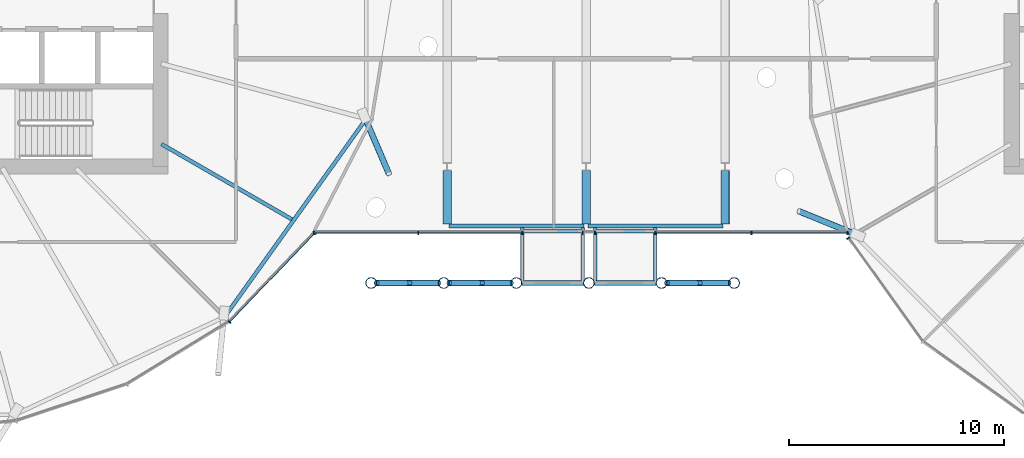
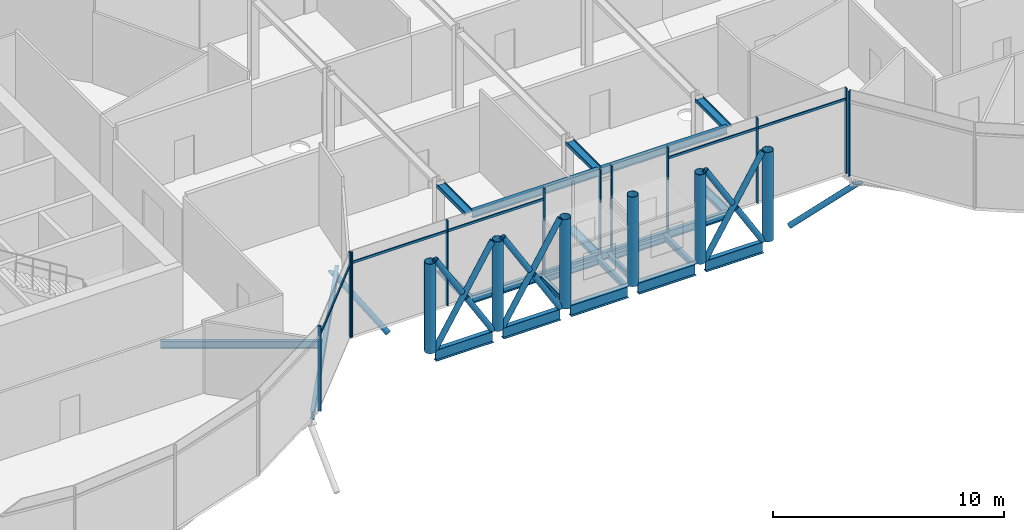
# One storey, part 6 of 36: 33 members, 23 beams, 3 elements without a shape of their own.
"""IFC4 building model written with IfcOpenShell, lengths in metres."""

from ifc_helpers import new_model, si_unit, direction, frame, origin, origin_2d, place, context, subcontext, project, spatial, rectangle, hollow_circle, i_section, extrude, clip, halfspace, material, material_profile, profile_set, type_object, element, aggregate, save


model = new_model("IFC4")

# Units and contexts
model_context = context("Model", 3, precision=1e-05, world=origin(), true_north=direction((0.0, 1.0)))
body_context = subcontext(model_context, "Body", "Model", "MODEL_VIEW")
ifc_project = project(units=[si_unit("LENGTHUNIT", "METRE"), si_unit("AREAUNIT", "SQUARE_METRE"), si_unit("VOLUMEUNIT", "CUBIC_METRE"), si_unit("PLANEANGLEUNIT", "RADIAN"), si_unit("MASSUNIT", "GRAM", prefix="KILO")], contexts=[model_context])

# Site, building, storey
site_placement = place(None, origin())
site = spatial("IfcSite", under=ifc_project, at=site_placement, CompositionType="ELEMENT")
building_placement = place(site_placement, origin())
building = spatial("IfcBuilding", under=site, at=building_placement, Name="Rimbun Link Towers", CompositionType="ELEMENT")
storey_placement = place(building_placement, frame((0.0, 0.0, 154.39990234375)))
storey = spatial("IfcBuildingStorey", under=building, at=storey_placement, Name="L37", CompositionType="ELEMENT", Elevation=154.39990234375)

# Curtain wall, members
ifc_material_1 = material(Name="Aluminium 6063-T6 and low-iron glass", Category="aluminium")
curtain_wall_type = type_object("IfcCurtainWallType", Name="CW5 full height lobby wall", PredefinedType="NOTDEFINED", material=ifc_material_1)
curtain_wall_1_placement = place(storey_placement, origin())
curtain_wall_1 = element("IfcCurtainWall", 1, at=curtain_wall_1_placement, inside=storey, type_object=curtain_wall_type, Name="CW5 L37 T1", PredefinedType="NOTDEFINED")
ifc_material_2 = material(Name="Aluminium 6063-T6", Category="aluminium")
ifc_material_profile_1 = material_profile(ifc_material_2, rectangle(XDim=0.14990234375, YDim=0.06005859375, at=origin_2d()), Name="MULLION 60X150")
ifc_profile_set_1 = profile_set([ifc_material_profile_1], Name="Aluminium 6063-T6")
member_type_1 = type_object("IfcMemberType", Name="CW5 mullion 60X150", PredefinedType="MULLION", material=ifc_profile_set_1)
member_1_placement = place(storey_placement, frame((-16.548828125, -15.212646484375, 0.0), z_axis=(0.0, 0.0, 1.0), x_axis=(0.627670674715, -0.778478981157, 0.0)))
member_1 = element("IfcMember", 2, at=member_1_placement, type_object=member_type_1, Name="CW5 mullion", PredefinedType="MULLION", context=body_context, shape_type="SweptSolid", body=[
    extrude(rectangle(XDim=0.14990234375, YDim=0.06005859375, at=origin_2d()), origin(), (0.0, 0.0, 1.0), 4.5),
])
member_2_placement = place(storey_placement, frame((-12.589111328125, -11.083251953125, 0.0), z_axis=(0.0, 0.0, 1.0), x_axis=(0.721858090698, -0.692041109252, 0.0)))
member_2 = element("IfcMember", 3, at=member_2_placement, type_object=member_type_1, Name="CW5 mullion", PredefinedType="MULLION", context=body_context, shape_type="SweptSolid", body=[
    extrude(rectangle(XDim=0.14990234375, YDim=0.06005859375, at=origin_2d()), origin(), (0.0, 0.0, 1.0), 4.5),
])

# Curtain wall, member
curtain_wall_2_placement = place(storey_placement, origin())
curtain_wall_2 = element("IfcCurtainWall", 4, at=curtain_wall_2_placement, inside=storey, type_object=curtain_wall_type, Name="CW5 L37 T2", PredefinedType="NOTDEFINED")
member_3_placement = place(storey_placement, frame((12.149658203125, -11.32470703125, 0.0), z_axis=(0.0, 0.0, 1.0), x_axis=(-0.81246534364, -0.58300948996, 0.0)))
member_3 = element("IfcMember", 5, at=member_3_placement, type_object=member_type_1, Name="CW5 mullion", PredefinedType="MULLION", context=body_context, shape_type="SweptSolid", body=[
    extrude(rectangle(XDim=0.14990234375, YDim=0.06005859375, at=origin_2d()), origin(), (0.0, 0.0, 1.0), 4.5),
])
aggregate(curtain_wall_2, [member_3])

# Curtain wall, members
curtain_wall_3_placement = place(storey_placement, origin())
curtain_wall_3 = element("IfcCurtainWall", 6, at=curtain_wall_3_placement, inside=storey, type_object=curtain_wall_type, Name="CW5 L37 LB", PredefinedType="NOTDEFINED")
member_4_placement = place(storey_placement, frame((12.121337890625, -11.074951171875, 0.0), z_axis=(0.0, 0.0, 1.0), x_axis=(0.0, -1.0, 0.0)))
member_4 = element("IfcMember", 7, at=member_4_placement, type_object=member_type_1, Name="CW5 mullion", PredefinedType="MULLION", context=body_context, shape_type="SweptSolid", body=[
    extrude(rectangle(XDim=0.14990234375, YDim=0.06005859375, at=origin_2d()), origin(), (0.0, 0.0, 1.0), 4.5),
])
member_5_placement = place(storey_placement, frame((7.667236328125, -11.074951171875, 0.0), z_axis=(0.0, 0.0, 1.0), x_axis=(0.0, -1.0, 0.0)))
member_5 = element("IfcMember", 8, at=member_5_placement, type_object=member_type_1, Name="CW5 mullion", PredefinedType="MULLION", context=body_context, shape_type="SweptSolid", body=[
    extrude(rectangle(XDim=0.14990234375, YDim=0.06005859375, at=origin_2d()), origin(), (0.0, 0.0, 1.0), 4.5),
])
member_6_placement = place(storey_placement, frame((3.21337890625, -11.074951171875, 0.0), z_axis=(0.0, 0.0, 1.0), x_axis=(0.0, -1.0, 0.0)))
member_6 = element("IfcMember", 9, at=member_6_placement, type_object=member_type_1, Name="CW5 mullion", PredefinedType="MULLION", context=body_context, shape_type="SweptSolid", body=[
    extrude(rectangle(XDim=0.14990234375, YDim=0.06005859375, at=origin_2d()), origin(), (0.0, 0.0, 1.0), 4.5),
])
member_7_placement = place(storey_placement, frame((0.413330078125, -11.074951171875, 0.0), z_axis=(0.0, 0.0, 1.0), x_axis=(0.0, -1.0, 0.0)))
member_7 = element("IfcMember", 10, at=member_7_placement, type_object=member_type_1, Name="CW5 mullion", PredefinedType="MULLION", context=body_context, shape_type="SweptSolid", body=[
    extrude(rectangle(XDim=0.14990234375, YDim=0.06005859375, at=origin_2d()), origin(), (0.0, 0.0, 1.0), 4.5),
])
member_8_placement = place(storey_placement, frame((-0.15576171875, -11.074951171875, 0.0), z_axis=(0.0, 0.0, 1.0), x_axis=(0.0, -1.0, 0.0)))
member_8 = element("IfcMember", 11, at=member_8_placement, type_object=member_type_1, Name="CW5 mullion", PredefinedType="MULLION", context=body_context, shape_type="SweptSolid", body=[
    extrude(rectangle(XDim=0.14990234375, YDim=0.06005859375, at=origin_2d()), origin(), (0.0, 0.0, 1.0), 4.5),
])
member_9_placement = place(storey_placement, frame((-2.95556640625, -11.074951171875, 0.0), z_axis=(0.0, 0.0, 1.0), x_axis=(0.0, -1.0, 0.0)))
member_9 = element("IfcMember", 12, at=member_9_placement, type_object=member_type_1, Name="CW5 mullion", PredefinedType="MULLION", context=body_context, shape_type="SweptSolid", body=[
    extrude(rectangle(XDim=0.14990234375, YDim=0.06005859375, at=origin_2d()), origin(), (0.0, 0.0, 1.0), 4.5),
])
member_10_placement = place(storey_placement, frame((-7.791259765625, -11.074951171875, 0.0), z_axis=(0.0, 0.0, 1.0), x_axis=(0.0, -1.0, 0.0)))
member_10 = element("IfcMember", 13, at=member_10_placement, type_object=member_type_1, Name="CW5 mullion", PredefinedType="MULLION", context=body_context, shape_type="SweptSolid", body=[
    extrude(rectangle(XDim=0.14990234375, YDim=0.06005859375, at=origin_2d()), origin(), (0.0, 0.0, 1.0), 4.5),
])
member_11_placement = place(storey_placement, frame((-12.626953125, -11.074951171875, 0.0), z_axis=(0.0, 0.0, 1.0), x_axis=(0.0, -1.0, 0.0)))
member_11 = element("IfcMember", 14, at=member_11_placement, type_object=member_type_1, Name="CW5 mullion", PredefinedType="MULLION", context=body_context, shape_type="SweptSolid", body=[
    extrude(rectangle(XDim=0.14990234375, YDim=0.06005859375, at=origin_2d()), origin(), (0.0, 0.0, 1.0), 4.5),
])

# Member
ifc_material_3 = material(Name="Aluminium 6063-T6", Category="aluminium")
ifc_material_profile_2 = material_profile(ifc_material_3, rectangle(XDim=0.06005859375, YDim=0.1201171875, at=origin_2d()), Name="TRANSOM 60X120")
ifc_profile_set_2 = profile_set([ifc_material_profile_2], Name="Aluminium 6063-T6")
member_type_2 = type_object("IfcMemberType", Name="CW5 transom 60X120", PredefinedType="USERDEFINED", material=ifc_profile_set_2)
member_12_placement = place(storey_placement, frame((-12.619140625, -11.095947265625, 3.900146484375), z_axis=(-0.692046088529, -0.721853317061, 0.0), x_axis=(0.721853317061, -0.692046088529, 0.0)))
member_12 = element("IfcMember", 15, at=member_12_placement, type_object=member_type_2, Name="CW5 transom", ObjectType="TRANSOM", PredefinedType="USERDEFINED", context=body_context, shape_type="SweptSolid", body=[
    extrude(rectangle(XDim=0.06005859375, YDim=0.1201171875, at=origin_2d()), origin(), (0.0, 0.0, 1.0), 5.651611328125),
])

aggregate(curtain_wall_1, [member_1, member_2, member_12])

member_13_placement = place(storey_placement, frame((12.09130859375, -11.06201171875, 3.900146484375), z_axis=(-1.0, 0.0, 0.0), x_axis=(0.0, -1.0, 0.0)))
member_13 = element("IfcMember", 16, at=member_13_placement, type_object=member_type_2, Name="CW5 transom", ObjectType="TRANSOM", PredefinedType="USERDEFINED", context=body_context, shape_type="SweptSolid", body=[
    extrude(rectangle(XDim=0.06005859375, YDim=0.1201171875, at=origin_2d()), origin(), (0.0, 0.0, 1.0), 4.39404296875),
])

member_14_placement = place(storey_placement, frame((7.63720703125, -11.06201171875, 3.900146484375), z_axis=(-1.0, 0.0, 0.0), x_axis=(0.0, -1.0, 0.0)))
member_14 = element("IfcMember", 17, at=member_14_placement, type_object=member_type_2, Name="CW5 transom", ObjectType="TRANSOM", PredefinedType="USERDEFINED", context=body_context, shape_type="SweptSolid", body=[
    extrude(rectangle(XDim=0.06005859375, YDim=0.1201171875, at=origin_2d()), origin(), (0.0, 0.0, 1.0), 4.393798828125),
])

member_15_placement = place(storey_placement, frame((-2.985595703125, -11.06201171875, 3.900146484375), z_axis=(-1.0, 0.0, 0.0), x_axis=(0.0, -1.0, 0.0)))
member_15 = element("IfcMember", 18, at=member_15_placement, type_object=member_type_2, Name="CW5 transom", ObjectType="TRANSOM", PredefinedType="USERDEFINED", context=body_context, shape_type="SweptSolid", body=[
    extrude(rectangle(XDim=0.06005859375, YDim=0.1201171875, at=origin_2d()), origin(), (0.0, 0.0, 1.0), 4.775634765625),
])

member_16_placement = place(storey_placement, frame((-7.8212890625, -11.06201171875, 3.900146484375), z_axis=(-1.0, 0.0, 0.0), x_axis=(0.0, -1.0, 0.0)))
member_16 = element("IfcMember", 19, at=member_16_placement, type_object=member_type_2, Name="CW5 transom", ObjectType="TRANSOM", PredefinedType="USERDEFINED", context=body_context, shape_type="SweptSolid", body=[
    extrude(rectangle(XDim=0.06005859375, YDim=0.1201171875, at=origin_2d()), origin(), (0.0, 0.0, 1.0), 4.775634765625),
])

aggregate(curtain_wall_3, [member_4, member_5, member_6, member_7, member_8, member_9, member_10, member_11, member_13, member_14, member_15, member_16])

# Beams
ifc_material_4 = material(Name="Steel S355J2", Category="steel")
ifc_material_profile_3 = material_profile(ifc_material_4, i_section(OverallWidth=0.1650390625, OverallDepth=0.303466796875, WebThickness=0.006103515625, FlangeThickness=0.01025390625, at=origin_2d()), Name="UB 305x165x40")
ifc_profile_set_3 = profile_set([ifc_material_profile_3], Name="Steel S355J2")
beam_type_1 = type_object("IfcBeamType", Name="Capsule bracket beam UB 305x165x40", PredefinedType="BEAM", material=ifc_profile_set_3)
for number, where, z_axis, x_axis, name in (
    (20, (-2.95556640625, -10.8349609375, -0.37158203125), (0.0, -1.0, 0.0), (1.0, 0.0, 0.0), "Capsule F37.11 bracket beam 1"),
    (21, (-0.15576171875, -10.8349609375, -0.37158203125), (0.0, -1.0, 0.0), (1.0, 0.0, 0.0), "Capsule F37.11 bracket beam 2"),
):
    element("IfcBeam", number, at=place(storey_placement, frame(where, z_axis=z_axis, x_axis=x_axis)), inside=storey, type_object=beam_type_1, Name=name, PredefinedType="BEAM", context=body_context, shape_type="SweptSolid", body=[
        extrude(i_section(OverallWidth=0.1650390625, OverallDepth=0.303466796875, WebThickness=0.006103515625, FlangeThickness=0.01025390625, at=origin_2d()), origin(), (0.0, 0.0, 1.0), 2.451171875),
    ])
beam_1_placement = place(storey_placement, frame((-2.873046875, -11.0, -0.37158203125), z_axis=(1.0, 0.0, 0.0), x_axis=(0.0, 1.0, 0.0)))
element("IfcBeam", 22, at=beam_1_placement, inside=storey, type_object=beam_type_1, Name="Capsule F37.11 bracket beam 3", PredefinedType="BEAM", context=body_context, shape_type="SweptSolid", body=[
    extrude(i_section(OverallWidth=0.1650390625, OverallDepth=0.303466796875, WebThickness=0.006103515625, FlangeThickness=0.01025390625, at=origin_2d()), origin(), (0.0, 0.0, 1.0), 2.635009765625),
])
for number, where, z_axis, x_axis, name in (
    (23, (0.413330078125, -10.8349609375, -0.37158203125), (0.0, -1.0, 0.0), (1.0, 0.0, 0.0), "Capsule F37.12 bracket beam 1"),
    (24, (3.21337890625, -10.8349609375, -0.37158203125), (0.0, -1.0, 0.0), (1.0, 0.0, 0.0), "Capsule F37.12 bracket beam 2"),
):
    element("IfcBeam", number, at=place(storey_placement, frame(where, z_axis=z_axis, x_axis=x_axis)), inside=storey, type_object=beam_type_1, Name=name, PredefinedType="BEAM", context=body_context, shape_type="SweptSolid", body=[
        extrude(i_section(OverallWidth=0.1650390625, OverallDepth=0.303466796875, WebThickness=0.006103515625, FlangeThickness=0.01025390625, at=origin_2d()), origin(), (0.0, 0.0, 1.0), 2.451171875),
    ])
beam_2_placement = place(storey_placement, frame((0.495849609375, -11.0, -0.37158203125), z_axis=(1.0, 0.0, 0.0), x_axis=(0.0, 1.0, 0.0)))
element("IfcBeam", 25, at=beam_2_placement, inside=storey, type_object=beam_type_1, Name="Capsule F37.12 bracket beam 3", PredefinedType="BEAM", context=body_context, shape_type="SweptSolid", body=[
    extrude(i_section(OverallWidth=0.1650390625, OverallDepth=0.303466796875, WebThickness=0.006103515625, FlangeThickness=0.01025390625, at=origin_2d()), origin(), (0.0, 0.0, 1.0), 2.635009765625),
])

# Members
ifc_material_5 = material(Name="Steel S355J2H", Category="steel")
ifc_material_profile_4 = material_profile(ifc_material_5, hollow_circle(Radius=0.136474609375, WallThickness=0.012451171875, at=origin_2d()), Name="CHS 273x12.5")
ifc_profile_set_4 = profile_set([ifc_material_profile_4], Name="Steel S355J2H")
member_type_3 = type_object("IfcMemberType", Name="Floor edge link CHS 273x12.5", PredefinedType="BRACE", material=ifc_profile_set_4)
member_17_placement = place(storey_placement, frame((-10.252197265625, -5.76025390625, -0.827392578125), z_axis=(0.329569571797, -0.770767546944, -0.545253414409), x_axis=(0.919472704043, 0.393153845867, 0.0)))
element("IfcMember", 26, at=member_17_placement, inside=storey, type_object=member_type_3, Name="Floor edge link T1 L37 23", PredefinedType="BRACE", context=body_context, shape_type="Clipping", body=[
    clip(extrude(hollow_circle(Radius=0.136474609375, WallThickness=0.012451171875, at=origin_2d()), frame((0.0, 0.0, -0.43798828125)), (0.0, 0.0, 1.0), 3.790771484375), halfspace(frame((0.0, 0.0, -0.2060546875), z_axis=(0.0, 0.838271265209, -0.545253414409)), False)),
])
member_18_placement = place(storey_placement, frame((12.4755859375, -11.128173828125, -0.747314453125), z_axis=(-0.772737146681, 0.314655677392, -0.551243237441), x_axis=(-0.37712916407, -0.926160673754, 0.0)))
element("IfcMember", 27, at=member_18_placement, inside=storey, type_object=member_type_3, Name="Floor edge link T2 L37 11", PredefinedType="BRACE", context=body_context, shape_type="Clipping", body=[
    clip(extrude(hollow_circle(Radius=0.136474609375, WallThickness=0.012451171875, at=origin_2d()), frame((0.0, 0.0, -0.431396484375)), (0.0, 0.0, 1.0), 3.811767578125), halfspace(frame((0.0, 0.0, -0.203125), z_axis=(0.0, 0.834344588989, -0.551243237441)), False)),
])

# Beams
ifc_material_6 = material(Name="Steel S355J2", Category="steel")
ifc_material_profile_5 = material_profile(ifc_material_6, i_section(OverallWidth=0.177978515625, OverallDepth=0.406494140625, WebThickness=0.0078125, FlangeThickness=0.0126953125, at=origin_2d()), Name="UKB 406x178x60")
ifc_profile_set_5 = profile_set([ifc_material_profile_5], Name="Steel S355J2")
beam_type_2 = type_object("IfcBeamType", Name="Link floor beam UKB 406x178x60", PredefinedType="BEAM", material=ifc_profile_set_5)
for number, where, z_axis, x_axis, name in (
    (28, (-6.449951171875, -10.660888671875, -0.363037109375), (0.0, 1.0, 0.0), (0.0, 0.0, 1.0), "Link floor beam L37 00"),
    (29, (0.0, -10.660888671875, -0.363037109375), (0.0, 1.0, 0.0), (0.0, 0.0, 1.0), "Link floor beam L37 04"),
    (30, (6.449951171875, -10.660888671875, -0.363037109375), (0.0, 1.0, 0.0), (0.0, 0.0, 1.0), "Link floor beam L37 08"),
):
    element("IfcBeam", number, at=place(storey_placement, frame(where, z_axis=z_axis, x_axis=x_axis)), inside=storey, type_object=beam_type_2, Name=name, PredefinedType="BEAM", context=body_context, shape_type="SweptSolid", body=[
        extrude(i_section(OverallWidth=0.177978515625, OverallDepth=0.406494140625, WebThickness=0.0078125, FlangeThickness=0.0126953125, at=origin_2d()), origin(), (0.0, 0.0, 1.0), 2.473388671875),
    ])
for number, where, z_axis, x_axis, name in (
    (31, (-6.361083984375, -10.75, -0.363037109375), (1.0, 0.0, 0.0), (0.0, 1.0, 0.0), "Link edge beam L37 12"),
    (32, (0.089111328125, -10.75, -0.363037109375), (1.0, 0.0, 0.0), (0.0, 1.0, 0.0), "Link edge beam L37 13"),
):
    element("IfcBeam", number, at=place(storey_placement, frame(where, z_axis=z_axis, x_axis=x_axis)), inside=storey, type_object=beam_type_2, Name=name, PredefinedType="BEAM", context=body_context, shape_type="SweptSolid", body=[
        extrude(i_section(OverallWidth=0.177978515625, OverallDepth=0.406494140625, WebThickness=0.0078125, FlangeThickness=0.0126953125, at=origin_2d()), origin(), (0.0, 0.0, 1.0), 6.27197265625),
    ])
for number, where, z_axis, x_axis, name in (
    (33, (-6.449951171875, -10.660888671875, 4.136962890625), (0.0, 1.0, 0.0), (0.0, 0.0, 1.0), "Link roof beam 00"),
    (34, (0.0, -10.660888671875, 4.136962890625), (0.0, 1.0, 0.0), (0.0, 0.0, 1.0), "Link roof beam 04"),
    (35, (6.449951171875, -10.660888671875, 4.136962890625), (0.0, 1.0, 0.0), (0.0, 0.0, 1.0), "Link roof beam 08"),
):
    element("IfcBeam", number, at=place(storey_placement, frame(where, z_axis=z_axis, x_axis=x_axis)), inside=storey, type_object=beam_type_2, Name=name, PredefinedType="BEAM", context=body_context, shape_type="SweptSolid", body=[
        extrude(i_section(OverallWidth=0.177978515625, OverallDepth=0.406494140625, WebThickness=0.0078125, FlangeThickness=0.0126953125, at=origin_2d()), origin(), (0.0, 0.0, 1.0), 2.473388671875),
    ])
for number, where, z_axis, x_axis, name in (
    (36, (-6.361083984375, -10.75, 4.136962890625), (1.0, 0.0, 0.0), (0.0, 1.0, 0.0), "Link roof edge beam 12"),
    (37, (0.089111328125, -10.75, 4.136962890625), (1.0, 0.0, 0.0), (0.0, 1.0, 0.0), "Link roof edge beam 13"),
):
    element("IfcBeam", number, at=place(storey_placement, frame(where, z_axis=z_axis, x_axis=x_axis)), inside=storey, type_object=beam_type_2, Name=name, PredefinedType="BEAM", context=body_context, shape_type="SweptSolid", body=[
        extrude(i_section(OverallWidth=0.177978515625, OverallDepth=0.406494140625, WebThickness=0.0078125, FlangeThickness=0.0126953125, at=origin_2d()), origin(), (0.0, 0.0, 1.0), 6.27197265625),
    ])

# Members
ifc_material_7 = material(Name="Steel S355J2H", Category="steel")
ifc_material_profile_6 = material_profile(ifc_material_7, hollow_circle(Radius=0.136474609375, WallThickness=0.012451171875, at=origin_2d()), Name="CHS 273x12.5")
ifc_profile_set_6 = profile_set([ifc_material_profile_6], Name="Steel S355J2H")
member_type_4 = type_object("IfcMemberType", Name="Link megaframe brace CHS 273x12.5", PredefinedType="BRACE", material=ifc_profile_set_6)
member_19_placement = place(storey_placement, frame((-9.72412109375, -13.39990234375, -0.219970703125), z_axis=(0.518367395778, 0.0, 0.855158022236), x_axis=(0.0, 1.0, 0.0)))
element("IfcMember", 38, at=member_19_placement, inside=storey, type_object=member_type_4, Name="Link megaframe brace S0-1 bay 6.1", PredefinedType="BRACE", context=body_context, shape_type="SweptSolid", body=[
    extrude(hollow_circle(Radius=0.136474609375, WallThickness=0.012451171875, at=origin_2d()), origin(), (0.0, 0.0, 1.0), 5.51953125),
])
for number, where, z_axis, x_axis, name in (
    (39, (-6.863037109375, -13.39990234375, -0.219970703125), (-0.518351954215, 0.0, 0.85516738219), (0.0, -1.0, 0.0), "Link megaframe brace S0-1 bay 6.2a"),
    (40, (-8.38427734375, -13.39990234375, 2.289794921875), (-0.518393825389, 0.0, 0.855142000956), (0.0, -1.0, 0.0), "Link megaframe brace S0-1 bay 6.2b"),
):
    element("IfcMember", number, at=place(storey_placement, frame(where, z_axis=z_axis, x_axis=x_axis)), inside=storey, type_object=member_type_4, Name=name, PredefinedType="BRACE", context=body_context, shape_type="SweptSolid", body=[
        extrude(hollow_circle(Radius=0.136474609375, WallThickness=0.012451171875, at=origin_2d()), origin(), (0.0, 0.0, 1.0), 2.584716796875),
    ])
member_20_placement = place(storey_placement, frame((-6.35498046875, -13.39990234375, -0.219970703125), z_axis=(0.518335047229, 0.0, 0.855177629978), x_axis=(0.0, 1.0, 0.0)))
element("IfcMember", 41, at=member_20_placement, inside=storey, type_object=member_type_4, Name="Link megaframe brace S1-2 bay 6.1", PredefinedType="BRACE", context=body_context, shape_type="SweptSolid", body=[
    extrude(hollow_circle(Radius=0.136474609375, WallThickness=0.012451171875, at=origin_2d()), origin(), (0.0, 0.0, 1.0), 5.519287109375),
])
member_21_placement = place(storey_placement, frame((-3.494140625, -13.39990234375, -0.219970703125), z_axis=(-0.518351954215, 0.0, 0.85516738219), x_axis=(0.0, -1.0, 0.0)))
element("IfcMember", 42, at=member_21_placement, inside=storey, type_object=member_type_4, Name="Link megaframe brace S1-2 bay 6.2a", PredefinedType="BRACE", context=body_context, shape_type="SweptSolid", body=[
    extrude(hollow_circle(Radius=0.136474609375, WallThickness=0.012451171875, at=origin_2d()), origin(), (0.0, 0.0, 1.0), 2.584716796875),
])
member_22_placement = place(storey_placement, frame((-5.015380859375, -13.39990234375, 2.289794921875), z_axis=(-0.518324745109, 0.0, 0.855183874151), x_axis=(0.0, -1.0, 0.0)))
element("IfcMember", 43, at=member_22_placement, inside=storey, type_object=member_type_4, Name="Link megaframe brace S1-2 bay 6.2b", PredefinedType="BRACE", context=body_context, shape_type="SweptSolid", body=[
    extrude(hollow_circle(Radius=0.136474609375, WallThickness=0.012451171875, at=origin_2d()), origin(), (0.0, 0.0, 1.0), 2.58447265625),
])
member_23_placement = place(storey_placement, frame((3.751708984375, -13.39990234375, -0.219970703125), z_axis=(0.518367395778, 0.0, 0.855158022236), x_axis=(0.0, 1.0, 0.0)))
element("IfcMember", 44, at=member_23_placement, inside=storey, type_object=member_type_4, Name="Link megaframe brace S4-5 bay 6.1", PredefinedType="BRACE", context=body_context, shape_type="SweptSolid", body=[
    extrude(hollow_circle(Radius=0.136474609375, WallThickness=0.012451171875, at=origin_2d()), origin(), (0.0, 0.0, 1.0), 5.51953125),
])
for number, where, z_axis, x_axis, name in (
    (45, (6.61279296875, -13.39990234375, -0.219970703125), (-0.518351954215, 0.0, 0.85516738219), (0.0, -1.0, 0.0), "Link megaframe brace S4-5 bay 6.2a"),
    (46, (5.091552734375, -13.39990234375, 2.289794921875), (-0.518393825389, 0.0, 0.855142000956), (0.0, -1.0, 0.0), "Link megaframe brace S4-5 bay 6.2b"),
):
    element("IfcMember", number, at=place(storey_placement, frame(where, z_axis=z_axis, x_axis=x_axis)), inside=storey, type_object=member_type_4, Name=name, PredefinedType="BRACE", context=body_context, shape_type="SweptSolid", body=[
        extrude(hollow_circle(Radius=0.136474609375, WallThickness=0.012451171875, at=origin_2d()), origin(), (0.0, 0.0, 1.0), 2.584716796875),
    ])
ifc_material_8 = material(Name="Steel S355J2H", Category="steel")
ifc_material_profile_7 = material_profile(ifc_material_8, hollow_circle(Radius=0.25390625, WallThickness=0.02001953125, at=origin_2d()), Name="CHS 508x20")
ifc_profile_set_7 = profile_set([ifc_material_profile_7], Name="Steel S355J2H")
member_type_5 = type_object("IfcMemberType", Name="Link megaframe post CHS 508x20", PredefinedType="POST", material=ifc_profile_set_7)
for number, where, z_axis, x_axis, name in (
    (47, (-9.97802734375, -13.39990234375, -0.219970703125), (0.0, 0.0, 1.0), (1.0, 0.0, 0.0), "Link megaframe post S0 bay 6"),
    (48, (-6.609130859375, -13.39990234375, -0.219970703125), (0.0, 0.0, 1.0), (1.0, 0.0, 0.0), "Link megaframe post S1 bay 6"),
    (49, (-3.239990234375, -13.39990234375, -0.219970703125), (0.0, 0.0, 1.0), (1.0, 0.0, 0.0), "Link megaframe post S2 bay 6"),
    (50, (0.12890625, -13.39990234375, -0.219970703125), (0.0, 0.0, 1.0), (1.0, 0.0, 0.0), "Link megaframe post S3 bay 6"),
    (51, (3.497802734375, -13.39990234375, -0.219970703125), (0.0, 0.0, 1.0), (1.0, 0.0, 0.0), "Link megaframe post S4 bay 6"),
    (52, (6.86669921875, -13.39990234375, -0.219970703125), (0.0, 0.0, 1.0), (1.0, 0.0, 0.0), "Link megaframe post S5 bay 6"),
):
    element("IfcMember", number, at=place(storey_placement, frame(where, z_axis=z_axis, x_axis=x_axis)), inside=storey, type_object=member_type_5, Name=name, PredefinedType="POST", context=body_context, shape_type="SweptSolid", body=[
        extrude(hollow_circle(Radius=0.25390625, WallThickness=0.02001953125, at=origin_2d()), origin(), (0.0, 0.0, 1.0), 4.719970703125),
    ])

# Beams
ifc_material_9 = material(Name="Steel S355J2", Category="steel")
ifc_material_profile_8 = material_profile(ifc_material_9, i_section(OverallWidth=0.2275390625, OverallDepth=0.6025390625, WebThickness=0.010498046875, FlangeThickness=0.014892578125, at=origin_2d()), Name="UB 610x229x101")
ifc_profile_set_8 = profile_set([ifc_material_profile_8], Name="Steel S355J2")
beam_type_3 = type_object("IfcBeamType", Name="Link megaframe ring beam UB 610x229x101", PredefinedType="BEAM", material=ifc_profile_set_8)
beam_3_placement = place(storey_placement, frame((-9.72412109375, -13.39990234375, -0.521240234375), z_axis=(1.0, 0.0, 0.0), x_axis=(0.0, 1.0, 0.0)))
element("IfcBeam", 53, at=beam_3_placement, inside=storey, type_object=beam_type_3, Name="Link megaframe ring beam S0-1 L37", PredefinedType="BEAM", context=body_context, shape_type="SweptSolid", body=[
    extrude(i_section(OverallWidth=0.2275390625, OverallDepth=0.6025390625, WebThickness=0.010498046875, FlangeThickness=0.014892578125, at=origin_2d()), origin(), (0.0, 0.0, 1.0), 2.861083984375),
])
for number, where, z_axis, x_axis, name in (
    (54, (-6.35498046875, -13.39990234375, -0.521240234375), (1.0, 0.0, 0.0), (0.0, 1.0, 0.0), "Link megaframe ring beam S1-2 L37"),
    (55, (-2.986083984375, -13.39990234375, -0.521240234375), (1.0, 0.0, 0.0), (0.0, 1.0, 0.0), "Link megaframe ring beam S2-3 L37"),
):
    element("IfcBeam", number, at=place(storey_placement, frame(where, z_axis=z_axis, x_axis=x_axis)), inside=storey, type_object=beam_type_3, Name=name, PredefinedType="BEAM", context=body_context, shape_type="SweptSolid", body=[
        extrude(i_section(OverallWidth=0.2275390625, OverallDepth=0.6025390625, WebThickness=0.010498046875, FlangeThickness=0.014892578125, at=origin_2d()), origin(), (0.0, 0.0, 1.0), 2.86083984375),
    ])
for number, where, z_axis, x_axis, name in (
    (56, (0.3828125, -13.39990234375, -0.521240234375), (1.0, 0.0, 0.0), (0.0, 1.0, 0.0), "Link megaframe ring beam S3-4 L37"),
    (57, (3.751708984375, -13.39990234375, -0.521240234375), (1.0, 0.0, 0.0), (0.0, 1.0, 0.0), "Link megaframe ring beam S4-5 L37"),
):
    element("IfcBeam", number, at=place(storey_placement, frame(where, z_axis=z_axis, x_axis=x_axis)), inside=storey, type_object=beam_type_3, Name=name, PredefinedType="BEAM", context=body_context, shape_type="SweptSolid", body=[
        extrude(i_section(OverallWidth=0.2275390625, OverallDepth=0.6025390625, WebThickness=0.010498046875, FlangeThickness=0.014892578125, at=origin_2d()), origin(), (0.0, 0.0, 1.0), 2.861083984375),
    ])
ifc_material_10 = material(Name="Steel S355J2", Category="steel")
ifc_material_profile_9 = material_profile(ifc_material_10, i_section(OverallWidth=0.177978515625, OverallDepth=0.406494140625, WebThickness=0.0078125, FlangeThickness=0.0126953125, at=origin_2d()), Name="UB 406x178x60")
ifc_profile_set_9 = profile_set([ifc_material_profile_9], Name="Steel S355J2")
beam_type_4 = type_object("IfcBeamType", Name="UB 406x178x60", PredefinedType="BEAM", material=ifc_profile_set_9)
beam_4_placement = place(storey_placement, frame((-19.70458984375, -6.954345703125, -0.383056640625), z_axis=(0.866015068498, -0.500017900814, 0.0), x_axis=(0.500017900814, 0.866015068498, 0.0)))
element("IfcBeam", 58, at=beam_4_placement, inside=storey, type_object=beam_type_4, Name="Radial beam T1 L37 22", PredefinedType="BEAM", context=body_context, shape_type="SweptSolid", body=[
    extrude(i_section(OverallWidth=0.177978515625, OverallDepth=0.406494140625, WebThickness=0.0078125, FlangeThickness=0.0126953125, at=origin_2d()), origin(), (0.0, 0.0, 1.0), 6.986083984375),
])
beam_5_placement = place(storey_placement, frame((-16.71533203125, -14.88525390625, -0.383056640625), z_axis=(0.581402745389, 0.81361590917, 0.0), x_axis=(-0.81361590917, 0.581402745389, 0.0)))
element("IfcBeam", 59, at=beam_5_placement, inside=storey, type_object=beam_type_4, Name="Edge beam T1 L37 21-23", PredefinedType="BEAM", context=body_context, shape_type="SweptSolid", body=[
    extrude(i_section(OverallWidth=0.177978515625, OverallDepth=0.406494140625, WebThickness=0.0078125, FlangeThickness=0.0126953125, at=origin_2d()), origin(), (0.0, 0.0, 1.0), 11.086669921875),
])

save(model, "model.ifc")
